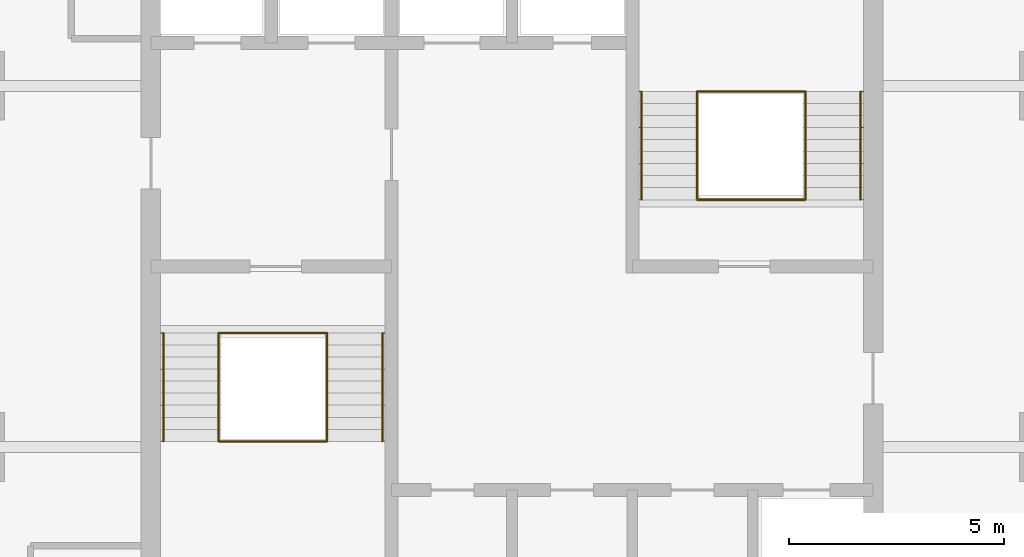
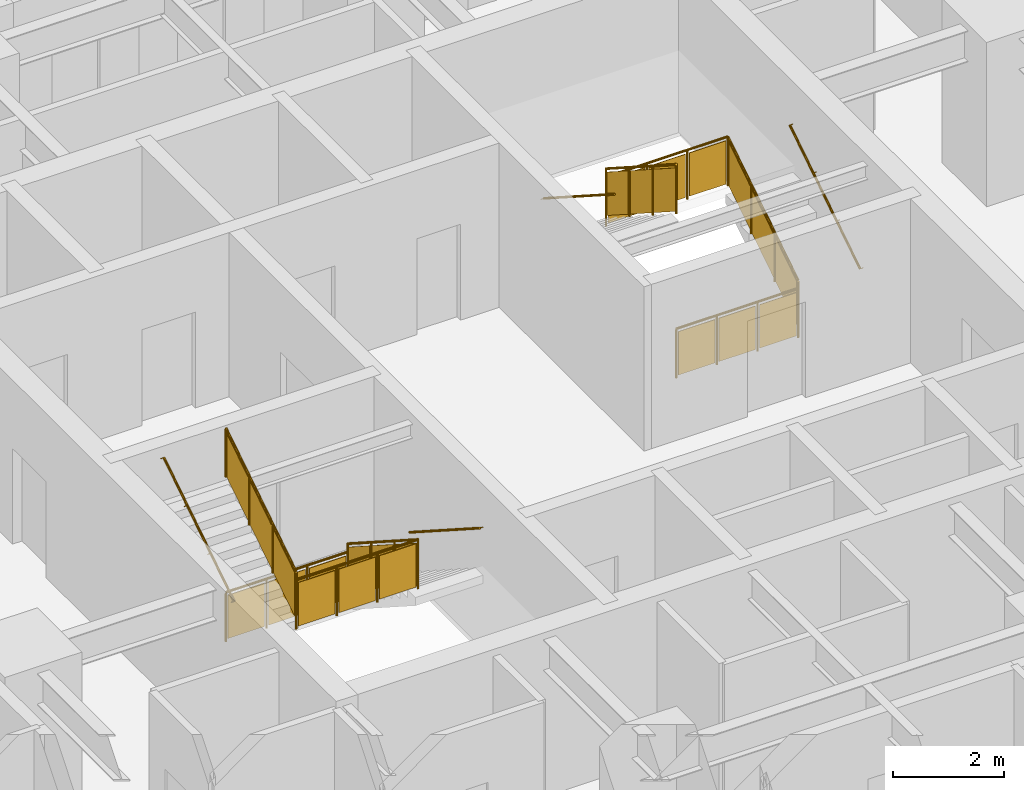
# One storey, part 10 of 10: 12 railings.
"""IFC4 building model written with IfcOpenShell, lengths in metres."""

from ifc_helpers import new_model, si_unit, direction, frame, origin, origin_2d, place, context, subcontext, project, spatial, polyline, circle, outline, extrude, material, type_object, element, save


model = new_model("IFC4")

# Units and contexts
model_context = context("Model", 3, precision=1e-05, world=origin(), true_north=direction((0.0, 1.0)))
body_context = subcontext(model_context, "Body", "Model", "MODEL_VIEW")
ifc_project = project(units=[si_unit("LENGTHUNIT", "METRE"), si_unit("AREAUNIT", "SQUARE_METRE"), si_unit("VOLUMEUNIT", "CUBIC_METRE"), si_unit("PLANEANGLEUNIT", "RADIAN"), si_unit("MASSUNIT", "GRAM", prefix="KILO")], contexts=[model_context])

# Site, building, storey
site_placement = place(None, origin())
site = spatial("IfcSite", under=ifc_project, at=site_placement, CompositionType="ELEMENT")
building_placement = place(site_placement, origin())
building = spatial("IfcBuilding", under=site, at=building_placement, Name="Torre Alcanfor", CompositionType="ELEMENT")
storey_placement = place(building_placement, frame((0.0, 0.0, 257.699951171875)))
storey = spatial("IfcBuildingStorey", under=building, at=storey_placement, Name="L67", CompositionType="ELEMENT", Elevation=257.699951171875)

# Railings
ifc_material_1 = material(Name="Steel ASTM A500 Grade C hollow sections", Category="steel")
railing_type_1 = type_object("IfcRailingType", Name="Stair guard and handrail 1100", PredefinedType="GUARDRAIL", material=ifc_material_1)
railing_1_placement = place(storey_placement, frame((25.10009765625, 27.85009765625, 0.179931640625)))
element("IfcRailing", 1, at=railing_1_placement, inside=storey, type_object=railing_type_1, Name="Stair guard S1 L67 flight 1", PredefinedType="GUARDRAIL", context=body_context, shape_type="SweptSolid", body=[
    extrude(circle(Radius=0.02392578125, at=origin_2d()), frame((0.0, 0.0, 1.076171875), z_axis=(0.0, -0.841162588446, 0.540782303519), x_axis=(1.0, 0.0, 0.0)), (0.0, 0.0, 1.0), 2.995849609375),
    extrude(circle(Radius=0.02099609375, at=origin_2d()), origin(), (0.0, 0.0, 1.0), 1.052001953125),
    extrude(circle(Radius=0.02099609375, at=origin_2d()), frame((0.0, -0.840087890625, 0.5400390625)), (0.0, 0.0, 1.0), 1.052001953125),
    extrude(circle(Radius=0.02099609375, at=origin_2d()), frame((0.0, -1.679931640625, 1.080078125)), (0.0, 0.0, 1.0), 1.052001953125),
    extrude(circle(Radius=0.02099609375, at=origin_2d()), frame((0.0, -2.52001953125, 1.6201171875)), (0.0, 0.0, 1.0), 1.052001953125),
    extrude(outline(polyline([(0.041015625, 0.076416015625), (0.799072265625, 0.563720703125), (0.799072265625, 1.515625), (0.041015625, 1.0283203125), (0.041015625, 0.076416015625)])), frame((0.005859375, 0.0, 0.0), z_axis=(-1.0, 0.0, 0.0), x_axis=(0.0, -1.0, 0.0)), (0.0, 0.0, 1.0), 0.011962890625),
    extrude(outline(polyline([(0.881103515625, 0.616455078125), (1.638916015625, 1.103759765625), (1.638916015625, 2.0556640625), (0.881103515625, 1.568359375), (0.881103515625, 0.616455078125)])), frame((0.005859375, 0.0, 0.0), z_axis=(-1.0, 0.0, 0.0), x_axis=(0.0, -1.0, 0.0)), (0.0, 0.0, 1.0), 0.011962890625),
    extrude(outline(polyline([(1.720947265625, 1.156494140625), (2.47900390625, 1.643798828125), (2.47900390625, 2.595703125), (1.720947265625, 2.1083984375), (1.720947265625, 1.156494140625)])), frame((0.005859375, 0.0, 0.0), z_axis=(-1.0, 0.0, 0.0), x_axis=(0.0, -1.0, 0.0)), (0.0, 0.0, 1.0), 0.011962890625),
])
railing_2_placement = place(storey_placement, frame((22.574951171875, 25.330078125, 1.97998046875)))
element("IfcRailing", 2, at=railing_2_placement, inside=storey, type_object=railing_type_1, Name="Stair guard S1 L67 flight 2", PredefinedType="GUARDRAIL", context=body_context, shape_type="SweptSolid", body=[
    extrude(circle(Radius=0.02392578125, at=origin_2d()), frame((0.0, 0.0, 1.076171875), z_axis=(0.0, 0.841162588446, 0.540782303519), x_axis=(-1.0, 0.0, 0.0)), (0.0, 0.0, 1.0), 2.995849609375),
    extrude(circle(Radius=0.02099609375, at=origin_2d()), origin(), (0.0, 0.0, 1.0), 1.052001953125),
    extrude(circle(Radius=0.02099609375, at=origin_2d()), frame((0.0, 0.840087890625, 0.5400390625)), (0.0, 0.0, 1.0), 1.052001953125),
    extrude(circle(Radius=0.02099609375, at=origin_2d()), frame((0.0, 1.679931640625, 1.080078125)), (0.0, 0.0, 1.0), 1.052001953125),
    extrude(circle(Radius=0.02099609375, at=origin_2d()), frame((0.0, 2.52001953125, 1.6201171875)), (0.0, 0.0, 1.0), 1.052001953125),
    extrude(outline(polyline([(0.041015625, 0.076416015625), (0.799072265625, 0.563720703125), (0.799072265625, 1.515625), (0.041015625, 1.0283203125), (0.041015625, 0.076416015625)])), frame((-0.005859375, 0.0, 0.0), z_axis=(1.0, 0.0, 0.0), x_axis=(0.0, 1.0, 0.0)), (0.0, 0.0, 1.0), 0.011962890625),
    extrude(outline(polyline([(0.881103515625, 0.616455078125), (1.638916015625, 1.103759765625), (1.638916015625, 2.0556640625), (0.881103515625, 1.568359375), (0.881103515625, 0.616455078125)])), frame((-0.005859375, 0.0, 0.0), z_axis=(1.0, 0.0, 0.0), x_axis=(0.0, 1.0, 0.0)), (0.0, 0.0, 1.0), 0.011962890625),
    extrude(outline(polyline([(1.720947265625, 1.156494140625), (2.47900390625, 1.643798828125), (2.47900390625, 2.595703125), (1.720947265625, 2.1083984375), (1.720947265625, 1.156494140625)])), frame((-0.005859375, 0.0, 0.0), z_axis=(1.0, 0.0, 0.0), x_axis=(0.0, 1.0, 0.0)), (0.0, 0.0, 1.0), 0.011962890625),
])
for number, where, name in (
    (3, (22.574951171875, 27.85009765625, 0.0), "Stair well guard S1 L67 floor landing"),
    (4, (22.574951171875, 25.330078125, 1.800048828125), "Stair well guard S1 L67 half landing"),
):
    element("IfcRailing", number, at=place(storey_placement, frame(where)), inside=storey, type_object=railing_type_1, Name=name, PredefinedType="GUARDRAIL", context=body_context, shape_type="SweptSolid", body=[
        extrude(circle(Radius=0.02392578125, at=origin_2d()), frame((0.0, 0.0, 1.076171875), z_axis=(1.0, 0.0, 0.0), x_axis=(0.0, 1.0, 0.0)), (0.0, 0.0, 1.0), 2.525146484375),
        extrude(circle(Radius=0.02099609375, at=origin_2d()), origin(), (0.0, 0.0, 1.0), 1.052001953125),
        extrude(circle(Radius=0.02099609375, at=origin_2d()), frame((0.841796875, 0.0, 0.0)), (0.0, 0.0, 1.0), 1.052001953125),
        extrude(circle(Radius=0.02099609375, at=origin_2d()), frame((1.683349609375, 0.0, 0.0)), (0.0, 0.0, 1.0), 1.052001953125),
        extrude(circle(Radius=0.02099609375, at=origin_2d()), frame((2.525146484375, 0.0, 0.0)), (0.0, 0.0, 1.0), 1.052001953125),
        extrude(outline(polyline([(0.041015625, 0.050048828125), (0.80078125, 0.050048828125), (0.80078125, 1.001953125), (0.041015625, 1.001953125), (0.041015625, 0.050048828125)])), frame((0.0, 0.005859375, 0.0), z_axis=(0.0, -1.0, 0.0), x_axis=(1.0, 0.0, 0.0)), (0.0, 0.0, 1.0), 0.011962890625),
        extrude(outline(polyline([(0.8828125, 0.050048828125), (1.642333984375, 0.050048828125), (1.642333984375, 1.001953125), (0.8828125, 1.001953125), (0.8828125, 0.050048828125)])), frame((0.0, 0.005859375, 0.0), z_axis=(0.0, -1.0, 0.0), x_axis=(1.0, 0.0, 0.0)), (0.0, 0.0, 1.0), 0.011962890625),
        extrude(outline(polyline([(1.724365234375, 0.050048828125), (2.484130859375, 0.050048828125), (2.484130859375, 1.001953125), (1.724365234375, 1.001953125), (1.724365234375, 0.050048828125)])), frame((0.0, 0.005859375, 0.0), z_axis=(0.0, -1.0, 0.0), x_axis=(1.0, 0.0, 0.0)), (0.0, 0.0, 1.0), 0.011962890625),
    ])
railing_3_placement = place(storey_placement, frame((36.22509765625, 30.949951171875, 0.179931640625)))
element("IfcRailing", 5, at=railing_3_placement, inside=storey, type_object=railing_type_1, Name="Stair guard S2 L67 flight 1", PredefinedType="GUARDRAIL", context=body_context, shape_type="SweptSolid", body=[
    extrude(circle(Radius=0.02392578125, at=origin_2d()), frame((0.0, 0.0, 1.076171875), z_axis=(0.0, 0.841162588446, 0.540782303519), x_axis=(-1.0, 0.0, 0.0)), (0.0, 0.0, 1.0), 2.995849609375),
    extrude(circle(Radius=0.02099609375, at=origin_2d()), origin(), (0.0, 0.0, 1.0), 1.052001953125),
    extrude(circle(Radius=0.02099609375, at=origin_2d()), frame((0.0, 0.840087890625, 0.5400390625)), (0.0, 0.0, 1.0), 1.052001953125),
    extrude(circle(Radius=0.02099609375, at=origin_2d()), frame((0.0, 1.679931640625, 1.080078125)), (0.0, 0.0, 1.0), 1.052001953125),
    extrude(circle(Radius=0.02099609375, at=origin_2d()), frame((0.0, 2.52001953125, 1.6201171875)), (0.0, 0.0, 1.0), 1.052001953125),
    extrude(outline(polyline([(0.041015625, 0.076416015625), (0.799072265625, 0.563720703125), (0.799072265625, 1.515625), (0.041015625, 1.0283203125), (0.041015625, 0.076416015625)])), frame((-0.005859375, 0.0, 0.0), z_axis=(1.0, 0.0, 0.0), x_axis=(0.0, 1.0, 0.0)), (0.0, 0.0, 1.0), 0.011962890625),
    extrude(outline(polyline([(0.881103515625, 0.616455078125), (1.638916015625, 1.103759765625), (1.638916015625, 2.0556640625), (0.881103515625, 1.568359375), (0.881103515625, 0.616455078125)])), frame((-0.005859375, 0.0, 0.0), z_axis=(1.0, 0.0, 0.0), x_axis=(0.0, 1.0, 0.0)), (0.0, 0.0, 1.0), 0.011962890625),
    extrude(outline(polyline([(1.720947265625, 1.156494140625), (2.47900390625, 1.643798828125), (2.47900390625, 2.595703125), (1.720947265625, 2.1083984375), (1.720947265625, 1.156494140625)])), frame((-0.005859375, 0.0, 0.0), z_axis=(1.0, 0.0, 0.0), x_axis=(0.0, 1.0, 0.0)), (0.0, 0.0, 1.0), 0.011962890625),
])
railing_4_placement = place(storey_placement, frame((33.699951171875, 33.469970703125, 1.97998046875)))
element("IfcRailing", 6, at=railing_4_placement, inside=storey, type_object=railing_type_1, Name="Stair guard S2 L67 flight 2", PredefinedType="GUARDRAIL", context=body_context, shape_type="SweptSolid", body=[
    extrude(circle(Radius=0.02392578125, at=origin_2d()), frame((0.0, 0.0, 1.076171875), z_axis=(0.0, -0.841162588446, 0.540782303519), x_axis=(1.0, 0.0, 0.0)), (0.0, 0.0, 1.0), 2.995849609375),
    extrude(circle(Radius=0.02099609375, at=origin_2d()), origin(), (0.0, 0.0, 1.0), 1.052001953125),
    extrude(circle(Radius=0.02099609375, at=origin_2d()), frame((0.0, -0.840087890625, 0.5400390625)), (0.0, 0.0, 1.0), 1.052001953125),
    extrude(circle(Radius=0.02099609375, at=origin_2d()), frame((0.0, -1.679931640625, 1.080078125)), (0.0, 0.0, 1.0), 1.052001953125),
    extrude(circle(Radius=0.02099609375, at=origin_2d()), frame((0.0, -2.52001953125, 1.6201171875)), (0.0, 0.0, 1.0), 1.052001953125),
    extrude(outline(polyline([(0.041015625, 0.076416015625), (0.799072265625, 0.563720703125), (0.799072265625, 1.515625), (0.041015625, 1.0283203125), (0.041015625, 0.076416015625)])), frame((0.005859375, 0.0, 0.0), z_axis=(-1.0, 0.0, 0.0), x_axis=(0.0, -1.0, 0.0)), (0.0, 0.0, 1.0), 0.011962890625),
    extrude(outline(polyline([(0.881103515625, 0.616455078125), (1.638916015625, 1.103759765625), (1.638916015625, 2.0556640625), (0.881103515625, 1.568359375), (0.881103515625, 0.616455078125)])), frame((0.005859375, 0.0, 0.0), z_axis=(-1.0, 0.0, 0.0), x_axis=(0.0, -1.0, 0.0)), (0.0, 0.0, 1.0), 0.011962890625),
    extrude(outline(polyline([(1.720947265625, 1.156494140625), (2.47900390625, 1.643798828125), (2.47900390625, 2.595703125), (1.720947265625, 2.1083984375), (1.720947265625, 1.156494140625)])), frame((0.005859375, 0.0, 0.0), z_axis=(-1.0, 0.0, 0.0), x_axis=(0.0, -1.0, 0.0)), (0.0, 0.0, 1.0), 0.011962890625),
])
for number, where, name in (
    (7, (33.699951171875, 30.949951171875, 0.0), "Stair well guard S2 L67 floor landing"),
    (8, (33.699951171875, 33.469970703125, 1.800048828125), "Stair well guard S2 L67 half landing"),
):
    element("IfcRailing", number, at=place(storey_placement, frame(where)), inside=storey, type_object=railing_type_1, Name=name, PredefinedType="GUARDRAIL", context=body_context, shape_type="SweptSolid", body=[
        extrude(circle(Radius=0.02392578125, at=origin_2d()), frame((0.0, 0.0, 1.076171875), z_axis=(1.0, 0.0, 0.0), x_axis=(0.0, 1.0, 0.0)), (0.0, 0.0, 1.0), 2.525146484375),
        extrude(circle(Radius=0.02099609375, at=origin_2d()), origin(), (0.0, 0.0, 1.0), 1.052001953125),
        extrude(circle(Radius=0.02099609375, at=origin_2d()), frame((0.841796875, 0.0, 0.0)), (0.0, 0.0, 1.0), 1.052001953125),
        extrude(circle(Radius=0.02099609375, at=origin_2d()), frame((1.683349609375, 0.0, 0.0)), (0.0, 0.0, 1.0), 1.052001953125),
        extrude(circle(Radius=0.02099609375, at=origin_2d()), frame((2.525146484375, 0.0, 0.0)), (0.0, 0.0, 1.0), 1.052001953125),
        extrude(outline(polyline([(0.041015625, 0.050048828125), (0.80078125, 0.050048828125), (0.80078125, 1.001953125), (0.041015625, 1.001953125), (0.041015625, 0.050048828125)])), frame((0.0, 0.005859375, 0.0), z_axis=(0.0, -1.0, 0.0), x_axis=(1.0, 0.0, 0.0)), (0.0, 0.0, 1.0), 0.011962890625),
        extrude(outline(polyline([(0.8828125, 0.050048828125), (1.642333984375, 0.050048828125), (1.642333984375, 1.001953125), (0.8828125, 1.001953125), (0.8828125, 0.050048828125)])), frame((0.0, 0.005859375, 0.0), z_axis=(0.0, -1.0, 0.0), x_axis=(1.0, 0.0, 0.0)), (0.0, 0.0, 1.0), 0.011962890625),
        extrude(outline(polyline([(1.724365234375, 0.050048828125), (2.484130859375, 0.050048828125), (2.484130859375, 1.001953125), (1.724365234375, 1.001953125), (1.724365234375, 0.050048828125)])), frame((0.0, 0.005859375, 0.0), z_axis=(0.0, -1.0, 0.0), x_axis=(1.0, 0.0, 0.0)), (0.0, 0.0, 1.0), 0.011962890625),
    ])
ifc_material_2 = material(Name="Steel ASTM A500 Grade C hollow sections", Category="steel")
railing_type_2 = type_object("IfcRailingType", Name="Stair wall handrail 900", PredefinedType="HANDRAIL", material=ifc_material_2)
railing_5_placement = place(storey_placement, frame((26.385009765625, 27.85009765625, 0.179931640625)))
element("IfcRailing", 9, at=railing_5_placement, inside=storey, type_object=railing_type_2, Name="Stair handrail S1 L67 flight 1", PredefinedType="HANDRAIL", context=body_context, shape_type="SweptSolid", body=[
    extrude(circle(Radius=0.02392578125, at=origin_2d()), frame((0.0, 0.0, 0.8759765625), z_axis=(0.0, -0.841162588446, 0.540782303519), x_axis=(1.0, 0.0, 0.0)), (0.0, 0.0, 1.0), 2.995849609375),
    extrude(circle(Radius=0.008056640625, at=origin_2d()), frame((0.0, 0.0, 0.8759765625), z_axis=(1.0, 0.0, 0.0), x_axis=(0.0, 0.0, 1.0)), (0.0, 0.0, 1.0), 0.06494140625),
    extrude(circle(Radius=0.008056640625, at=origin_2d()), frame((0.0, -0.840087890625, 1.416015625), z_axis=(1.0, 0.0, 0.0), x_axis=(0.0, 0.0, 1.0)), (0.0, 0.0, 1.0), 0.06494140625),
    extrude(circle(Radius=0.008056640625, at=origin_2d()), frame((0.0, -1.679931640625, 1.9560546875), z_axis=(1.0, 0.0, 0.0), x_axis=(0.0, 0.0, 1.0)), (0.0, 0.0, 1.0), 0.06494140625),
    extrude(circle(Radius=0.008056640625, at=origin_2d()), frame((0.0, -2.52001953125, 2.49609375), z_axis=(1.0, 0.0, 0.0), x_axis=(0.0, 0.0, 1.0)), (0.0, 0.0, 1.0), 0.06494140625),
])
railing_6_placement = place(storey_placement, frame((21.2900390625, 25.330078125, 1.97998046875)))
element("IfcRailing", 10, at=railing_6_placement, inside=storey, type_object=railing_type_2, Name="Stair handrail S1 L67 flight 2", PredefinedType="HANDRAIL", context=body_context, shape_type="SweptSolid", body=[
    extrude(circle(Radius=0.02392578125, at=origin_2d()), frame((0.0, 0.0, 0.8759765625), z_axis=(0.0, 0.841162588446, 0.540782303519), x_axis=(-1.0, 0.0, 0.0)), (0.0, 0.0, 1.0), 2.995849609375),
    extrude(circle(Radius=0.008056640625, at=origin_2d()), frame((0.0, 0.0, 0.8759765625), z_axis=(-1.0, 0.0, 0.0), x_axis=(0.0, 0.0, 1.0)), (0.0, 0.0, 1.0), 0.06494140625),
    extrude(circle(Radius=0.008056640625, at=origin_2d()), frame((0.0, 0.840087890625, 1.416015625), z_axis=(-1.0, 0.0, 0.0), x_axis=(0.0, 0.0, 1.0)), (0.0, 0.0, 1.0), 0.06494140625),
    extrude(circle(Radius=0.008056640625, at=origin_2d()), frame((0.0, 1.679931640625, 1.9560546875), z_axis=(-1.0, 0.0, 0.0), x_axis=(0.0, 0.0, 1.0)), (0.0, 0.0, 1.0), 0.06494140625),
    extrude(circle(Radius=0.008056640625, at=origin_2d()), frame((0.0, 2.52001953125, 2.49609375), z_axis=(-1.0, 0.0, 0.0), x_axis=(0.0, 0.0, 1.0)), (0.0, 0.0, 1.0), 0.06494140625),
])
railing_7_placement = place(storey_placement, frame((37.510009765625, 30.949951171875, 0.179931640625)))
element("IfcRailing", 11, at=railing_7_placement, inside=storey, type_object=railing_type_2, Name="Stair handrail S2 L67 flight 1", PredefinedType="HANDRAIL", context=body_context, shape_type="SweptSolid", body=[
    extrude(circle(Radius=0.02392578125, at=origin_2d()), frame((0.0, 0.0, 0.8759765625), z_axis=(0.0, 0.841162588446, 0.540782303519), x_axis=(-1.0, 0.0, 0.0)), (0.0, 0.0, 1.0), 2.995849609375),
    extrude(circle(Radius=0.008056640625, at=origin_2d()), frame((0.0, 0.0, 0.8759765625), z_axis=(1.0, 0.0, 0.0), x_axis=(0.0, 0.0, 1.0)), (0.0, 0.0, 1.0), 0.06494140625),
    extrude(circle(Radius=0.008056640625, at=origin_2d()), frame((0.0, 0.840087890625, 1.416015625), z_axis=(1.0, 0.0, 0.0), x_axis=(0.0, 0.0, 1.0)), (0.0, 0.0, 1.0), 0.06494140625),
    extrude(circle(Radius=0.008056640625, at=origin_2d()), frame((0.0, 1.679931640625, 1.9560546875), z_axis=(1.0, 0.0, 0.0), x_axis=(0.0, 0.0, 1.0)), (0.0, 0.0, 1.0), 0.06494140625),
    extrude(circle(Radius=0.008056640625, at=origin_2d()), frame((0.0, 2.52001953125, 2.49609375), z_axis=(1.0, 0.0, 0.0), x_axis=(0.0, 0.0, 1.0)), (0.0, 0.0, 1.0), 0.06494140625),
])
railing_8_placement = place(storey_placement, frame((32.4150390625, 33.469970703125, 1.97998046875)))
element("IfcRailing", 12, at=railing_8_placement, inside=storey, type_object=railing_type_2, Name="Stair handrail S2 L67 flight 2", PredefinedType="HANDRAIL", context=body_context, shape_type="SweptSolid", body=[
    extrude(circle(Radius=0.02392578125, at=origin_2d()), frame((0.0, 0.0, 0.8759765625), z_axis=(0.0, -0.841162588446, 0.540782303519), x_axis=(1.0, 0.0, 0.0)), (0.0, 0.0, 1.0), 2.995849609375),
    extrude(circle(Radius=0.008056640625, at=origin_2d()), frame((0.0, 0.0, 0.8759765625), z_axis=(-1.0, 0.0, 0.0), x_axis=(0.0, 0.0, 1.0)), (0.0, 0.0, 1.0), 0.06494140625),
    extrude(circle(Radius=0.008056640625, at=origin_2d()), frame((0.0, -0.840087890625, 1.416015625), z_axis=(-1.0, 0.0, 0.0), x_axis=(0.0, 0.0, 1.0)), (0.0, 0.0, 1.0), 0.06494140625),
    extrude(circle(Radius=0.008056640625, at=origin_2d()), frame((0.0, -1.679931640625, 1.9560546875), z_axis=(-1.0, 0.0, 0.0), x_axis=(0.0, 0.0, 1.0)), (0.0, 0.0, 1.0), 0.06494140625),
    extrude(circle(Radius=0.008056640625, at=origin_2d()), frame((0.0, -2.52001953125, 2.49609375), z_axis=(-1.0, 0.0, 0.0), x_axis=(0.0, 0.0, 1.0)), (0.0, 0.0, 1.0), 0.06494140625),
])

save(model, "model.ifc")
